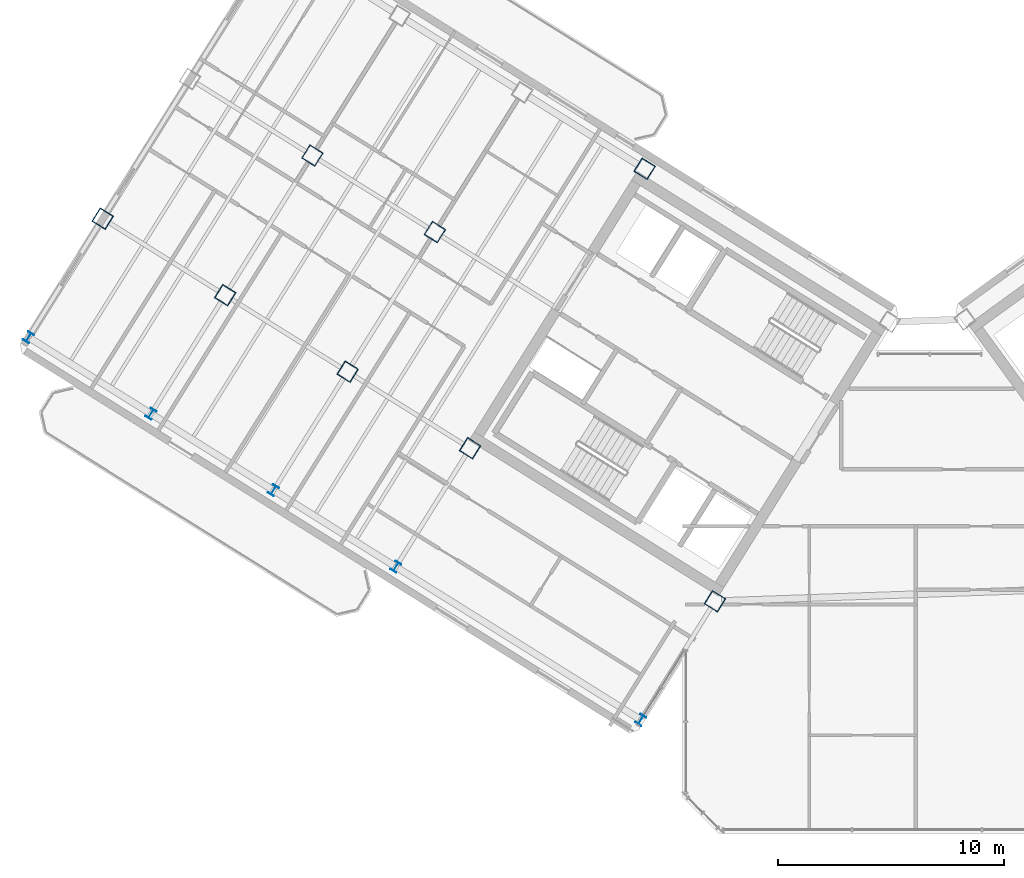
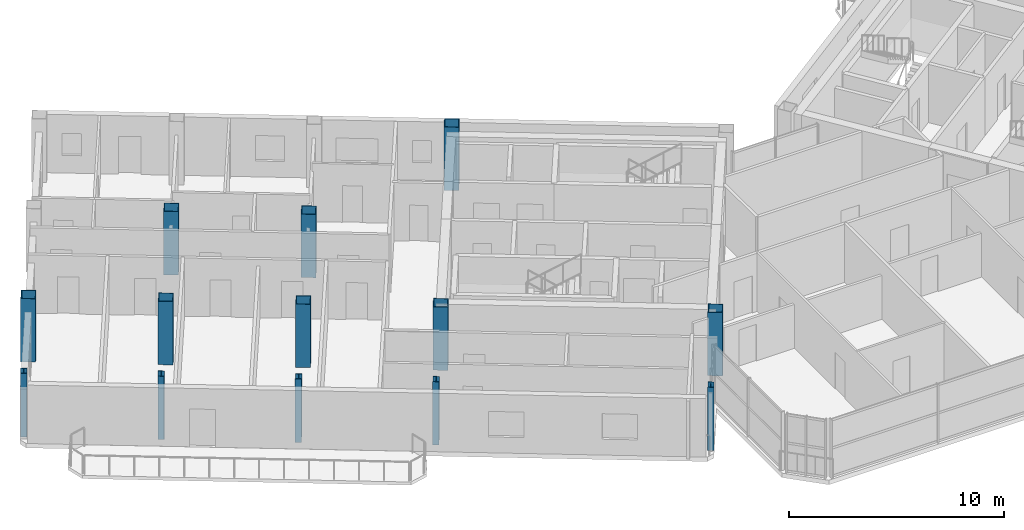
# One storey, part 1 of 25: 13 columns.
"""IFC4 building model written with IfcOpenShell, lengths in metres."""

from ifc_helpers import new_model, si_unit, direction, frame, origin, origin_2d, place, context, subcontext, project, spatial, hollow_rectangle, i_section, extrude, source, transform, mapped, material, material_profile, profile_set, type_object, element, save


model = new_model("IFC4")

# Units and contexts
model_context = context("Model", 3, precision=1e-05, world=origin(), true_north=direction((0.0, 1.0)))
body_context = subcontext(model_context, "Body", "Model", "MODEL_VIEW")
ifc_project = project(units=[si_unit("LENGTHUNIT", "METRE"), si_unit("AREAUNIT", "SQUARE_METRE"), si_unit("VOLUMEUNIT", "CUBIC_METRE"), si_unit("PLANEANGLEUNIT", "RADIAN"), si_unit("MASSUNIT", "GRAM", prefix="KILO")], contexts=[model_context])

# Site, building, storey
site_placement = place(None, origin())
site = spatial("IfcSite", under=ifc_project, at=site_placement, CompositionType="ELEMENT")
building_placement = place(site_placement, origin())
building = spatial("IfcBuilding", under=site, at=building_placement, Name="Tlacorven Tower", CompositionType="ELEMENT")
storey_placement = place(building_placement, frame((0.0, 0.0, 251.10009765625)))
storey = spatial("IfcBuildingStorey", under=building, at=storey_placement, Name="L63", CompositionType="ELEMENT", Elevation=251.10009765625)

# Columns
ifc_material_1 = material(Name="Steel S355J2", Category="steel")
ifc_material_profile_1 = material_profile(ifc_material_1, i_section(OverallWidth=0.300048828125, OverallDepth=0.449951171875, WebThickness=0.013916015625, FlangeThickness=0.02587890625, at=origin_2d()), Name="HEB 450")
ifc_profile_set_1 = profile_set([ifc_material_profile_1], Name="Steel S355J2")
column_type_1 = type_object("IfcColumnType", Name="COL-TWR-P3", PredefinedType="COLUMN", material=ifc_profile_set_1)
shared_shape_1 = source(origin(), body_context, "Body", "SweptSolid", [
    extrude(i_section(OverallWidth=0.300048828125, OverallDepth=0.449951171875, WebThickness=0.013916015625, FlangeThickness=0.02587890625, at=origin_2d()), origin(), (0.0, 0.0, 1.0), 3.599853515625),
])
for number, where, z_axis, x_axis, name in (
    (1, (29.7607421875, 6.8291015625, 0.0), (0.0, 0.0, 1.0), (-0.848048096156, 0.529919264233, 0.0), "L63 column COL-L63-W1-4"),
    (2, (18.905517578125, 13.612060546875, 0.0), (0.0, 0.0, 1.0), (-0.848048096156, 0.529919264233, 0.0), "L63 column COL-L63-W3-4"),
    (3, (13.47802734375, 17.00341796875, 0.0), (0.0, 0.0, 1.0), (-0.848048096156, 0.529919264233, 0.0), "L63 column COL-L63-W4-4"),
    (4, (8.050537109375, 20.39501953125, 0.0), (0.0, 0.0, 1.0), (-0.848048096156, 0.529919264233, 0.0), "L63 column COL-L63-W5-4"),
    (5, (2.623046875, 23.786376953125, 0.0), (0.0, 0.0, 1.0), (-0.848048096156, 0.529919264233, 0.0), "L63 column COL-L63-W6-4"),
):
    element("IfcColumn", number, at=place(storey_placement, frame(where, z_axis=z_axis, x_axis=x_axis)), inside=storey, type_object=column_type_1, Name=name, PredefinedType="COLUMN", context=body_context, shape_type="MappedRepresentation", body=[
        mapped(shared_shape_1, transform((0.0, 0.0, 0.0), scale=1.0)),
    ])
ifc_material_2 = material(Name="Steel S460M", Category="steel")
ifc_material_profile_2 = material_profile(ifc_material_2, hollow_rectangle(XDim=0.699951171875, YDim=0.699951171875, WallThickness=0.028076171875, at=origin_2d()), Name="BOX 700X700X28")
ifc_profile_set_2 = profile_set([ifc_material_profile_2], Name="Steel S460M")
column_type_2 = type_object("IfcColumnType", Name="COL-TWR-S4", PredefinedType="COLUMN", material=ifc_profile_set_2)
shared_shape_2 = source(origin(), body_context, "Body", "SweptSolid", [
    extrude(hollow_rectangle(XDim=0.699951171875, YDim=0.699951171875, WallThickness=0.028076171875, at=origin_2d()), origin(), (0.0, 0.0, 1.0), 3.599853515625),
])
for number, where, z_axis, x_axis, name in (
    (6, (33.046142578125, 12.0869140625, 0.0), (0.0, 0.0, 1.0), (-0.848048096156, 0.529919264233, 0.0), "L63 column COL-L63-W1-3"),
    (7, (29.927978515625, 31.25146484375, 0.0), (0.0, 0.0, 1.0), (-0.848048096156, 0.529919264233, 0.0), "L63 column COL-L63-W3-1"),
    (8, (22.191162109375, 18.869873046875, 0.0), (0.0, 0.0, 1.0), (-0.848048096156, 0.529919264233, 0.0), "L63 column COL-L63-W3-3"),
    (9, (20.632080078125, 28.4521484375, 0.0), (0.0, 0.0, 1.0), (-0.848048096156, 0.529919264233, 0.0), "L63 column COL-L63-W4-2"),
    (10, (16.763671875, 22.26123046875, 0.0), (0.0, 0.0, 1.0), (-0.848048096156, 0.529919264233, 0.0), "L63 column COL-L63-W4-3"),
    (11, (15.20458984375, 31.843505859375, 0.0), (0.0, 0.0, 1.0), (-0.848048096156, 0.529919264233, 0.0), "L63 column COL-L63-W5-2"),
    (12, (11.336181640625, 25.65283203125, 0.0), (0.0, 0.0, 1.0), (-0.848048096156, 0.529919264233, 0.0), "L63 column COL-L63-W5-3"),
    (13, (5.90869140625, 29.044189453125, 0.0), (0.0, 0.0, 1.0), (-0.848048096156, 0.529919264233, 0.0), "L63 column COL-L63-W6-3"),
):
    element("IfcColumn", number, at=place(storey_placement, frame(where, z_axis=z_axis, x_axis=x_axis)), inside=storey, type_object=column_type_2, Name=name, PredefinedType="COLUMN", context=body_context, shape_type="MappedRepresentation", body=[
        mapped(shared_shape_2, transform((0.0, 0.0, 0.0), scale=1.0)),
    ])

save(model, "model.ifc")
